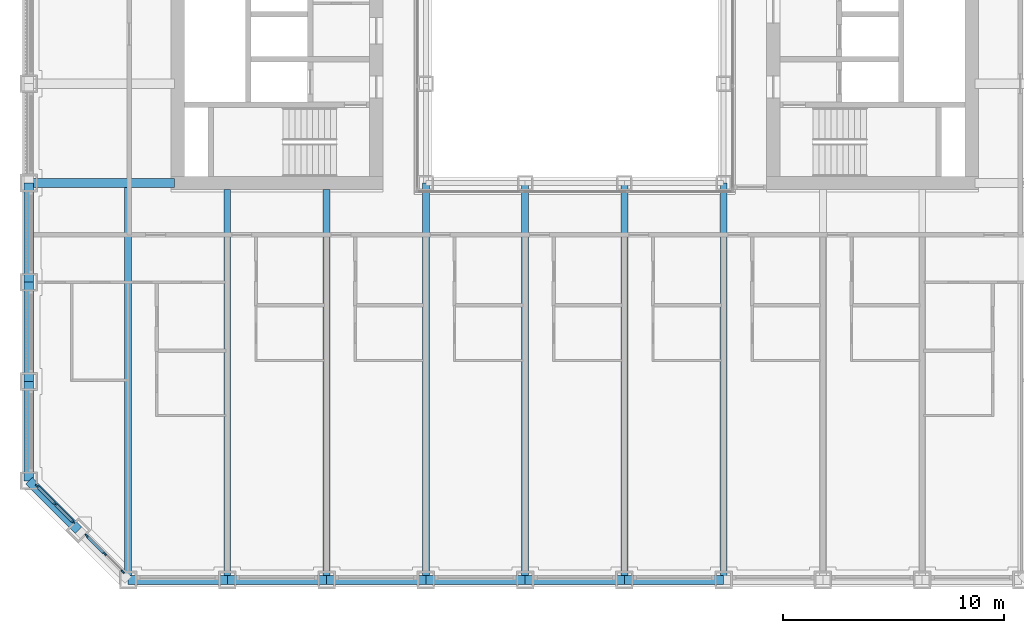
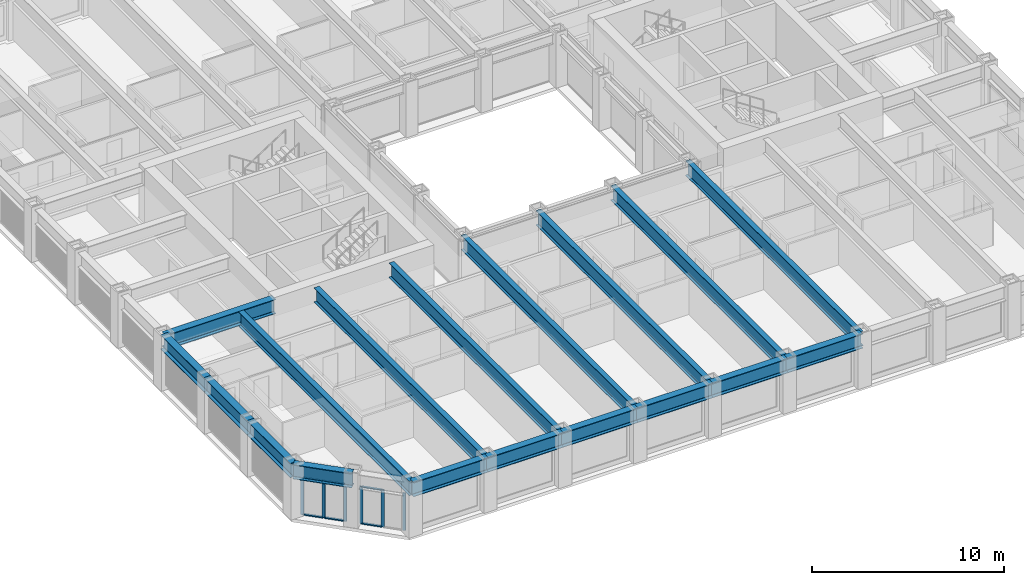
# One storey, part 2 of 21: 18 beams, 12 members, 2 elements without a shape of their own.
"""IFC4 building model written with IfcOpenShell, lengths in metres."""

import ifcopenshell
import ifcopenshell.guid

model = None  # the IFC model being written
_history = None  # IfcOwnerHistory: only IFC2X3 demands one
_inside = {}  # id of a spatial element -> (the spatial element, [elements in it])
_under = {}  # id of a project, library or spatial element -> (it, [spatial elements below it])
_declared = {}  # id of a project -> (the project, [libraries it declares])
_typed = {}  # id of a type object -> (the type object, [elements of that type])
_made_of = {}  # id of a material, layer set ... -> (it, [elements and type objects made of it])


def new_model(schema):
    """Start an empty IFC model of exactly this schema.

    Asked for "IFC4X3", IfcOpenShell would pick the latest addendum, in which some entities
    have other attributes; the version numbers below select the first issue.
    IFC2X3 requires an IfcOwnerHistory on every rooted entity: one is made here for all.
    """
    global model, _history
    if schema == "IFC4X3":
        model = ifcopenshell.file(schema_version=(4, 3, 0, 0))
    else:
        model = ifcopenshell.file(schema=schema)
    _inside.clear()
    _under.clear()
    _declared.clear()
    _typed.clear()
    _made_of.clear()
    _history = None
    if model.schema == "IFC2X3":
        org = make("IfcOrganization", Name="unknown")
        user = make(
            "IfcPersonAndOrganization",
            ThePerson=make("IfcPerson", FamilyName="unknown"),
            TheOrganization=org,
        )
        app = make(
            "IfcApplication",
            ApplicationDeveloper=org,
            Version="unknown",
            ApplicationFullName="unknown",
            ApplicationIdentifier="unknown",
        )
        _history = make(
            "IfcOwnerHistory",
            OwningUser=user,
            OwningApplication=app,
            ChangeAction="ADDED",
            CreationDate=0,
        )
    return model


def make(cls, **values):
    """One entity of the class cls with the attributes given. An attribute that is None is left unset."""
    return model.create_entity(
        cls, **{name: value for name, value in values.items() if value is not None}
    )


def rooted(cls, **values):
    """An entity with a GlobalId (a new one), such as an element, a storey or a relation."""
    return make(cls, GlobalId=ifcopenshell.guid.new(), OwnerHistory=_history, **values)


def si_unit(unit_type, name, prefix=None):
    """IfcSIUnit, for example si_unit("LENGTHUNIT", "METRE", prefix="MILLI")."""
    return make("IfcSIUnit", UnitType=unit_type, Prefix=prefix, Name=name)


def assignment(units):
    """IfcUnitAssignment: the units of a project."""
    return None if units is None else make("IfcUnitAssignment", Units=units)


def point(xyz):
    """IfcCartesianPoint."""
    return None if xyz is None else make("IfcCartesianPoint", Coordinates=xyz)


def direction(xyz):
    """IfcDirection."""
    return None if xyz is None else make("IfcDirection", DirectionRatios=xyz)


def frame(location, z_axis=None, x_axis=None):
    """IfcAxis2Placement3D, a coordinate frame: its origin and axes. An axis left out is left unset."""
    return make(
        "IfcAxis2Placement3D",
        Location=point(location),
        Axis=direction(z_axis),
        RefDirection=direction(x_axis),
    )


def frame_2d(location, x_axis=None):
    """IfcAxis2Placement2D, a coordinate frame in the plane: its origin and x axis."""
    return make(
        "IfcAxis2Placement2D", Location=point(location), RefDirection=direction(x_axis)
    )


def origin():
    """The frame at (0, 0, 0) with its axes left unset."""
    return frame((0.0, 0.0, 0.0))


def origin_2d():
    """The frame at (0, 0) in the plane with its x axis left unset."""
    return frame_2d((0.0, 0.0))


def place(relative_to, where):
    """IfcLocalPlacement: puts the frame where relative to a parent placement (None: the world)."""
    return make(
        "IfcLocalPlacement", PlacementRelTo=relative_to, RelativePlacement=where
    )


def context(
    kind, dimensions, precision=None, world=None, true_north=None, identifier=None
):
    """IfcGeometricRepresentationContext, for example the 3D "Model" context."""
    return make(
        "IfcGeometricRepresentationContext",
        ContextIdentifier=identifier,
        ContextType=kind,
        CoordinateSpaceDimension=dimensions,
        Precision=precision,
        WorldCoordinateSystem=world,
        TrueNorth=true_north,
    )


def subcontext(parent, identifier, kind, view, scale=None):
    """IfcGeometricRepresentationSubContext, for example "Body" below "Model"."""
    return make(
        "IfcGeometricRepresentationSubContext",
        ContextIdentifier=identifier,
        ContextType=kind,
        ParentContext=parent,
        TargetScale=scale,
        TargetView=view,
    )


def project(units=None, contexts=None):
    """IfcProject with its units and contexts."""
    return rooted(
        "IfcProject",
        Name="project",
        RepresentationContexts=contexts,
        UnitsInContext=assignment(units),
    )


def spatial(cls, under=None, at=None, **own):
    """A site, building, storey or space (cls), placed at a placement, below another one or the project."""
    s = rooted(cls, ObjectPlacement=at, **own)
    if under is not None:
        _under.setdefault(under.id(), (under, []))[1].append(s)
    return s


def profile(cls, at=None, kind="AREA", **sizes):
    """A parametric profile (cls). Its sizes go by their IFC names, for example OverallWidth=200.0."""
    return make(cls, ProfileType=kind, Position=at, **sizes)


def rectangle(**sizes):
    """IfcRectangleProfileDef."""
    return profile("IfcRectangleProfileDef", **sizes)


def i_section(**sizes):
    """IfcIShapeProfileDef."""
    return profile("IfcIShapeProfileDef", **sizes)


def extrude(swept, where, along, depth):
    """IfcExtrudedAreaSolid: the profile swept, set in the frame where, extruded along a direction by depth."""
    return make(
        "IfcExtrudedAreaSolid",
        SweptArea=swept,
        Position=where,
        ExtrudedDirection=direction(along),
        Depth=depth,
    )


def shape(context_of_items, identifier, shape_type, items):
    """IfcShapeRepresentation: the items that make up one representation, for example the "Body"."""
    return make(
        "IfcShapeRepresentation",
        ContextOfItems=context_of_items,
        RepresentationIdentifier=identifier,
        RepresentationType=shape_type,
        Items=items,
    )


def material(Name=None, Category=None):
    """IfcMaterial."""
    return make("IfcMaterial", Name=Name, Category=Category)


def material_profile(
    of_material, cross_section, Name=None, Category=None, Priority=None
):
    """IfcMaterialProfile: a cross section and its material."""
    return make(
        "IfcMaterialProfile",
        Name=Name,
        Material=of_material,
        Profile=cross_section,
        Priority=Priority,
        Category=Category,
    )


def profile_set(profiles, Name=None, composite=None):
    """IfcMaterialProfileSet."""
    return make(
        "IfcMaterialProfileSet",
        Name=Name,
        MaterialProfiles=profiles,
        CompositeProfile=composite,
    )


def made_of(thing, what):
    """Note that an element or type object is made of a material, layer set ...; save() writes the relation."""
    if what is not None:
        _made_of.setdefault(what.id(), (what, []))[1].append(thing)
    return thing


def type_object(cls, material=None, **own):
    """A type object (cls), such as IfcWallType, which elements share."""
    return made_of(rooted(cls, **own), material)


def element(
    cls,
    number,
    at=None,
    inside=None,
    cuts=None,
    type_object=None,
    material=None,
    context=None,
    identifier="Body",
    shape_type=None,
    held_by="IfcProductDefinitionShape",
    body=None,
    shapes=None,
    **own,
):
    """One element of the class cls, such as IfcWall. Its Tag is "e" and its number.

    at: its placement. inside: the storey or other place that contains it. cuts: it is an
    opening in that element (IfcRelVoidsElement). A single representation is given by context,
    identifier, shape_type and body (its items); several are given by shapes. held_by: the class
    of the entity that holds the representations. save() writes the other relations.
    """
    e = rooted(cls, Tag="e%d" % number, ObjectPlacement=at, **own)
    if body is not None:
        shapes = [shape(context, identifier, shape_type, body)]
    if shapes is not None:
        e.Representation = make(held_by, Representations=shapes)
    if inside is not None:
        _inside.setdefault(inside.id(), (inside, []))[1].append(e)
    if cuts is not None:
        rooted(
            "IfcRelVoidsElement", RelatingBuildingElement=cuts, RelatedOpeningElement=e
        )
    if type_object is not None:
        _typed.setdefault(type_object.id(), (type_object, []))[1].append(e)
    return made_of(e, material)


def aggregate(whole, parts):
    """IfcRelAggregates: a whole, such as a stair, and the parts it consists of."""
    return rooted("IfcRelAggregates", RelatingObject=whole, RelatedObjects=parts)


def save(model, path):
    """Write the relations noted so far, then the file.

    IfcRelAggregates (storeys below a building ...), IfcRelContainedInSpatialStructure (elements
    in a storey), IfcRelDefinesByType, IfcRelAssociatesMaterial and IfcRelDeclares: one each for
    every whole, place, type object, material and project.
    """
    for whole, parts in _under.values():
        aggregate(whole, parts)
    for where, things in _inside.values():
        rooted(
            "IfcRelContainedInSpatialStructure",
            RelatedElements=things,
            RelatingStructure=where,
        )
    for kind, things in _typed.values():
        rooted("IfcRelDefinesByType", RelatedObjects=things, RelatingType=kind)
    for what, things in _made_of.values():
        rooted("IfcRelAssociatesMaterial", RelatedObjects=things, RelatingMaterial=what)
    for by, libraries in _declared.values():
        rooted("IfcRelDeclares", RelatingContext=by, RelatedDefinitions=libraries)
    model.write(path)


model = new_model("IFC4")

# Units and contexts
model_context = context("Model", 3, precision=1e-05, world=origin(), true_north=direction((0.0, 1.0)))
body_context = subcontext(model_context, "Body", "Model", "MODEL_VIEW")
ifc_project = project(units=[si_unit("LENGTHUNIT", "METRE"), si_unit("AREAUNIT", "SQUARE_METRE"), si_unit("VOLUMEUNIT", "CUBIC_METRE"), si_unit("PLANEANGLEUNIT", "RADIAN"), si_unit("MASSUNIT", "GRAM", prefix="KILO")], contexts=[model_context])

# Site, building, storey
site_placement = place(None, origin())
site = spatial("IfcSite", under=ifc_project, at=site_placement, CompositionType="ELEMENT")
building_placement = place(site_placement, origin())
building = spatial("IfcBuilding", under=site, at=building_placement, Name="Msasa Ring Tower", CompositionType="ELEMENT")
storey_placement = place(building_placement, frame((0.0, 0.0, 30.0)))
storey = spatial("IfcBuildingStorey", under=building, at=storey_placement, Name="L06", CompositionType="ELEMENT", Elevation=30.0)

# Curtain wall, members
ifc_material_1 = material(Name="Aluminium curtain wall with clear glass", Category="aluminium")
curtain_wall_type = type_object("IfcCurtainWallType", Name="CW-C CHAMFER CORNER CURTAIN WALL", PredefinedType="NOTDEFINED", material=ifc_material_1)
curtain_wall_1_placement = place(storey_placement, origin())
curtain_wall_1 = element("IfcCurtainWall", 1, at=curtain_wall_1_placement, inside=storey, type_object=curtain_wall_type, Name="Chamfer corner curtain wall SW L06", PredefinedType="NOTDEFINED")
ifc_material_2 = material(Name="Aluminium mullion", Category="aluminium")
ifc_material_profile_1 = material_profile(ifc_material_2, rectangle(XDim=0.06494140625, YDim=0.179931640625, at=origin_2d()), Name="AL 65x180")
ifc_profile_set_1 = profile_set([ifc_material_profile_1], Name="Aluminium mullion")
member_type_1 = type_object("IfcMemberType", Name="CW-C MULLION 65x180", PredefinedType="MULLION", material=ifc_profile_set_1)
member_1_placement = place(storey_placement, frame((-24.369873046875, -20.48876953125, 0.0), z_axis=(0.0, 0.0, 1.0), x_axis=(0.707106781187, 0.707106781187, 0.0)))
member_1 = element("IfcMember", 2, at=member_1_placement, type_object=member_type_1, Name="CW-C mullion 1", PredefinedType="MULLION", context=body_context, shape_type="SweptSolid", body=[
    extrude(rectangle(XDim=0.06494140625, YDim=0.179931640625, at=origin_2d()), origin(), (0.0, 0.0, 1.0), 2.37890625),
])
member_2_placement = place(storey_placement, frame((-23.55419921875, -21.30419921875, 0.0), z_axis=(0.0, 0.0, 1.0), x_axis=(0.707106781187, 0.707106781187, 0.0)))
member_2 = element("IfcMember", 3, at=member_2_placement, type_object=member_type_1, Name="CW-C mullion 2", PredefinedType="MULLION", context=body_context, shape_type="SweptSolid", body=[
    extrude(rectangle(XDim=0.06494140625, YDim=0.179931640625, at=origin_2d()), origin(), (0.0, 0.0, 1.0), 2.37890625),
])
member_3_placement = place(storey_placement, frame((-22.73876953125, -22.119873046875, 0.0), z_axis=(0.0, 0.0, 1.0), x_axis=(0.707106781187, 0.707106781187, 0.0)))
member_3 = element("IfcMember", 4, at=member_3_placement, type_object=member_type_1, Name="CW-C mullion 3", PredefinedType="MULLION", context=body_context, shape_type="SweptSolid", body=[
    extrude(rectangle(XDim=0.06494140625, YDim=0.179931640625, at=origin_2d()), origin(), (0.0, 0.0, 1.0), 2.37890625),
])

curtain_wall_2_placement = place(storey_placement, origin())
curtain_wall_2 = element("IfcCurtainWall", 5, at=curtain_wall_2_placement, inside=storey, type_object=curtain_wall_type, Name="Chamfer corner curtain wall SW L06", PredefinedType="NOTDEFINED")
member_4_placement = place(storey_placement, frame((-22.119873046875, -22.73876953125, 0.0), z_axis=(0.0, 0.0, 1.0), x_axis=(0.707106781187, 0.707106781187, 0.0)))
member_4 = element("IfcMember", 6, at=member_4_placement, type_object=member_type_1, Name="CW-C mullion 1", PredefinedType="MULLION", context=body_context, shape_type="SweptSolid", body=[
    extrude(rectangle(XDim=0.06494140625, YDim=0.179931640625, at=origin_2d()), origin(), (0.0, 0.0, 1.0), 2.37890625),
])
member_5_placement = place(storey_placement, frame((-21.30419921875, -23.55419921875, 0.0), z_axis=(0.0, 0.0, 1.0), x_axis=(0.707106781187, 0.707106781187, 0.0)))
member_5 = element("IfcMember", 7, at=member_5_placement, type_object=member_type_1, Name="CW-C mullion 2", PredefinedType="MULLION", context=body_context, shape_type="SweptSolid", body=[
    extrude(rectangle(XDim=0.06494140625, YDim=0.179931640625, at=origin_2d()), origin(), (0.0, 0.0, 1.0), 2.37890625),
])
member_6_placement = place(storey_placement, frame((-20.48876953125, -24.369873046875, 0.0), z_axis=(0.0, 0.0, 1.0), x_axis=(0.707106781187, 0.707106781187, 0.0)))
member_6 = element("IfcMember", 8, at=member_6_placement, type_object=member_type_1, Name="CW-C mullion 3", PredefinedType="MULLION", context=body_context, shape_type="SweptSolid", body=[
    extrude(rectangle(XDim=0.06494140625, YDim=0.179931640625, at=origin_2d()), origin(), (0.0, 0.0, 1.0), 2.37890625),
])

# Member
ifc_material_3 = material(Name="Aluminium transom", Category="aluminium")
ifc_material_profile_2 = material_profile(ifc_material_3, rectangle(XDim=0.139892578125, YDim=0.06494140625, at=origin_2d()), Name="AL 65x140")
ifc_profile_set_2 = profile_set([ifc_material_profile_2], Name="Aluminium transom")
member_type_2 = type_object("IfcMemberType", Name="CW-C TRANSOM 65x140", PredefinedType="USERDEFINED", material=ifc_profile_set_2)
member_7_placement = place(storey_placement, frame((-24.346923828125, -20.51171875, 0.032470703125), z_axis=(0.707106781187, -0.707106781187, 0.0), x_axis=(0.707106781187, 0.707106781187, 0.0)))
member_7 = element("IfcMember", 9, at=member_7_placement, type_object=member_type_2, Name="CW-C transom 1.1", ObjectType="TRANSOM", PredefinedType="USERDEFINED", context=body_context, shape_type="SweptSolid", body=[
    extrude(rectangle(XDim=0.139892578125, YDim=0.06494140625, at=origin_2d()), origin(), (0.0, 0.0, 1.0), 1.08837890625),
])

member_8_placement = place(storey_placement, frame((-24.346923828125, -20.51171875, 2.346435546875), z_axis=(0.707106781187, -0.707106781187, 0.0), x_axis=(0.707106781187, 0.707106781187, 0.0)))
member_8 = element("IfcMember", 10, at=member_8_placement, type_object=member_type_2, Name="CW-C transom 1.2", ObjectType="TRANSOM", PredefinedType="USERDEFINED", context=body_context, shape_type="SweptSolid", body=[
    extrude(rectangle(XDim=0.139892578125, YDim=0.06494140625, at=origin_2d()), origin(), (0.0, 0.0, 1.0), 1.08837890625),
])

member_9_placement = place(storey_placement, frame((-23.53125, -21.327392578125, 0.032470703125), z_axis=(0.707106781187, -0.707106781187, 0.0), x_axis=(0.707106781187, 0.707106781187, 0.0)))
member_9 = element("IfcMember", 11, at=member_9_placement, type_object=member_type_2, Name="CW-C transom 2.1", ObjectType="TRANSOM", PredefinedType="USERDEFINED", context=body_context, shape_type="SweptSolid", body=[
    extrude(rectangle(XDim=0.139892578125, YDim=0.06494140625, at=origin_2d()), origin(), (0.0, 0.0, 1.0), 1.08837890625),
])

member_10_placement = place(storey_placement, frame((-23.53125, -21.327392578125, 2.346435546875), z_axis=(0.707106781187, -0.707106781187, 0.0), x_axis=(0.707106781187, 0.707106781187, 0.0)))
member_10 = element("IfcMember", 12, at=member_10_placement, type_object=member_type_2, Name="CW-C transom 2.2", ObjectType="TRANSOM", PredefinedType="USERDEFINED", context=body_context, shape_type="SweptSolid", body=[
    extrude(rectangle(XDim=0.139892578125, YDim=0.06494140625, at=origin_2d()), origin(), (0.0, 0.0, 1.0), 1.08837890625),
])

aggregate(curtain_wall_1, [member_1, member_2, member_3, member_7, member_8, member_9, member_10])

member_11_placement = place(storey_placement, frame((-22.096923828125, -22.76171875, 0.032470703125), z_axis=(0.707106781187, -0.707106781187, 0.0), x_axis=(0.707106781187, 0.707106781187, 0.0)))
member_11 = element("IfcMember", 13, at=member_11_placement, type_object=member_type_2, Name="CW-C transom 1.1", ObjectType="TRANSOM", PredefinedType="USERDEFINED", context=body_context, shape_type="SweptSolid", body=[
    extrude(rectangle(XDim=0.139892578125, YDim=0.06494140625, at=origin_2d()), origin(), (0.0, 0.0, 1.0), 1.08837890625),
])

member_12_placement = place(storey_placement, frame((-22.096923828125, -22.76171875, 2.346435546875), z_axis=(0.707106781187, -0.707106781187, 0.0), x_axis=(0.707106781187, 0.707106781187, 0.0)))
member_12 = element("IfcMember", 14, at=member_12_placement, type_object=member_type_2, Name="CW-C transom 1.2", ObjectType="TRANSOM", PredefinedType="USERDEFINED", context=body_context, shape_type="SweptSolid", body=[
    extrude(rectangle(XDim=0.139892578125, YDim=0.06494140625, at=origin_2d()), origin(), (0.0, 0.0, 1.0), 1.08837890625),
])

aggregate(curtain_wall_2, [member_4, member_5, member_6, member_11, member_12])

# Beams
ifc_material_4 = material(Name="Steel S355", Category="steel")
ifc_material_profile_3 = material_profile(ifc_material_4, i_section(OverallWidth=0.3076171875, OverallDepth=0.926513671875, WebThickness=0.01953125, FlangeThickness=0.031982421875, FilletRadius=0.01904296875, at=origin_2d()), Name="UB 914x305x289")
ifc_profile_set_3 = profile_set([ifc_material_profile_3], Name="Steel S355")
beam_type_1 = type_object("IfcBeamType", Name="FB3 UB 914x305x289", PredefinedType="BEAM", material=ifc_profile_set_3)
beam_1_placement = place(storey_placement, frame((-20.25, -24.75, 2.836669921875), z_axis=(0.0, 1.0, 0.0), x_axis=(-1.0, 0.0, 0.0)))
element("IfcBeam", 15, at=beam_1_placement, inside=storey, type_object=beam_type_1, Name="Floor beam S-20.25 under L07", PredefinedType="BEAM", context=body_context, shape_type="SweptSolid", body=[
    extrude(i_section(OverallWidth=0.3076171875, OverallDepth=0.926513671875, WebThickness=0.01953125, FlangeThickness=0.031982421875, FilletRadius=0.01904296875, at=origin_2d()), origin(), (0.0, 0.0, 1.0), 17.789794921875),
])
for number, where, z_axis, x_axis, name in (
    (16, (-15.75, -24.75, 2.836669921875), (0.0, 1.0, 0.0), (-1.0, 0.0, 0.0), "Floor beam S-15.75 under L07"),
    (17, (-11.25, -24.75, 2.836669921875), (0.0, 1.0, 0.0), (-1.0, 0.0, 0.0), "Floor beam S-11.25 under L07"),
):
    element("IfcBeam", number, at=place(storey_placement, frame(where, z_axis=z_axis, x_axis=x_axis)), inside=storey, type_object=beam_type_1, Name=name, PredefinedType="BEAM", context=body_context, shape_type="SweptSolid", body=[
        extrude(i_section(OverallWidth=0.3076171875, OverallDepth=0.926513671875, WebThickness=0.01953125, FlangeThickness=0.031982421875, FilletRadius=0.01904296875, at=origin_2d()), origin(), (0.0, 0.0, 1.0), 17.699951171875),
    ])
for number, where, z_axis, x_axis, name in (
    (18, (-6.75, -24.75, 2.836669921875), (0.0, 1.0, 0.0), (-1.0, 0.0, 0.0), "Floor beam S-6.75 under L07"),
    (19, (-2.25, -24.75, 2.836669921875), (0.0, 1.0, 0.0), (-1.0, 0.0, 0.0), "Floor beam S-2.25 under L07"),
    (20, (2.25, -24.75, 2.836669921875), (0.0, 1.0, 0.0), (-1.0, 0.0, 0.0), "Floor beam S+2.25 under L07"),
    (21, (6.75, -24.75, 2.836669921875), (0.0, 1.0, 0.0), (-1.0, 0.0, 0.0), "Floor beam S+6.75 under L07"),
):
    element("IfcBeam", number, at=place(storey_placement, frame(where, z_axis=z_axis, x_axis=x_axis)), inside=storey, type_object=beam_type_1, Name=name, PredefinedType="BEAM", context=body_context, shape_type="SweptSolid", body=[
        extrude(i_section(OverallWidth=0.3076171875, OverallDepth=0.926513671875, WebThickness=0.01953125, FlangeThickness=0.031982421875, FilletRadius=0.01904296875, at=origin_2d()), origin(), (0.0, 0.0, 1.0), 18.0),
    ])
ifc_material_5 = material(Name="Steel S355", Category="steel")
ifc_material_profile_4 = material_profile(ifc_material_5, i_section(OverallWidth=0.42041015625, OverallDepth=0.9208984375, WebThickness=0.021484375, FlangeThickness=0.03662109375, FilletRadius=0.024169921875, at=origin_2d()), Name="UB 914x419x388")
ifc_profile_set_4 = profile_set([ifc_material_profile_4], Name="Steel S355")
beam_type_2 = type_object("IfcBeamType", Name="GB1 UB 914x419x388", PredefinedType="BEAM", material=ifc_profile_set_4)
beam_2_placement = place(storey_placement, frame((-18.14990234375, -6.75, 2.839599609375), z_axis=(-1.0, 0.0, 0.0), x_axis=(0.0, -1.0, 0.0)))
element("IfcBeam", 22, at=beam_2_placement, inside=storey, type_object=beam_type_2, Name="Girder W -6.75 under L07", PredefinedType="BEAM", context=body_context, shape_type="SweptSolid", body=[
    extrude(i_section(OverallWidth=0.42041015625, OverallDepth=0.9208984375, WebThickness=0.021484375, FlangeThickness=0.03662109375, FilletRadius=0.024169921875, at=origin_2d()), origin(), (0.0, 0.0, 1.0), 6.60009765625),
])
ifc_material_6 = material(Name="Steel S355", Category="steel")
ifc_material_profile_5 = material_profile(ifc_material_6, i_section(OverallWidth=0.42041015625, OverallDepth=0.9208984375, WebThickness=0.021484375, FlangeThickness=0.03662109375, FilletRadius=0.024169921875, at=origin_2d()), Name="UB 914x419x388")
ifc_profile_set_5 = profile_set([ifc_material_profile_5], Name="Steel S355")
beam_type_3 = type_object("IfcBeamType", Name="SB1 UB 914x419x388", PredefinedType="SPANDREL", material=ifc_profile_set_5)
for number, where, z_axis, x_axis, name in (
    (23, (-24.75, -6.75, 2.839599609375), (0.0, -1.0, 0.0), (1.0, 0.0, 0.0), "Spandrel W-6.75 to W-11.25 under L07"),
    (24, (-24.75, -11.25, 2.839599609375), (0.0, -1.0, 0.0), (1.0, 0.0, 0.0), "Spandrel W-11.25 to W-15.75 under L07"),
    (25, (-24.75, -15.75, 2.839599609375), (0.0, -1.0, 0.0), (1.0, 0.0, 0.0), "Spandrel W-15.75 to W-20.25 under L07"),
):
    element("IfcBeam", number, at=place(storey_placement, frame(where, z_axis=z_axis, x_axis=x_axis)), inside=storey, type_object=beam_type_3, Name=name, PredefinedType="SPANDREL", context=body_context, shape_type="SweptSolid", body=[
        extrude(i_section(OverallWidth=0.42041015625, OverallDepth=0.9208984375, WebThickness=0.021484375, FlangeThickness=0.03662109375, FilletRadius=0.024169921875, at=origin_2d()), origin(), (0.0, 0.0, 1.0), 4.5),
    ])
beam_3_placement = place(storey_placement, frame((-24.75, -20.25, 2.839599609375), z_axis=(0.707106781187, -0.707106781187, 0.0), x_axis=(0.707106781187, 0.707106781187, 0.0)))
element("IfcBeam", 26, at=beam_3_placement, inside=storey, type_object=beam_type_3, Name="Spandrel W-20.25 to SW under L07", PredefinedType="SPANDREL", context=body_context, shape_type="SweptSolid", body=[
    extrude(i_section(OverallWidth=0.42041015625, OverallDepth=0.9208984375, WebThickness=0.021484375, FlangeThickness=0.03662109375, FilletRadius=0.024169921875, at=origin_2d()), origin(), (0.0, 0.0, 1.0), 3.181884765625),
])
for number, where, z_axis, x_axis, name in (
    (27, (-20.25, -24.75, 2.839599609375), (1.0, 0.0, 0.0), (0.0, 1.0, 0.0), "Spandrel S-20.25 to S-15.75 under L07"),
    (28, (-15.75, -24.75, 2.839599609375), (1.0, 0.0, 0.0), (0.0, 1.0, 0.0), "Spandrel S-15.75 to S-11.25 under L07"),
    (29, (-11.25, -24.75, 2.839599609375), (1.0, 0.0, 0.0), (0.0, 1.0, 0.0), "Spandrel S-11.25 to S-6.75 under L07"),
    (30, (-6.75, -24.75, 2.839599609375), (1.0, 0.0, 0.0), (0.0, 1.0, 0.0), "Spandrel S-6.75 to S-2.25 under L07"),
    (31, (-2.25, -24.75, 2.839599609375), (1.0, 0.0, 0.0), (0.0, 1.0, 0.0), "Spandrel S-2.25 to S+2.25 under L07"),
    (32, (2.25, -24.75, 2.839599609375), (1.0, 0.0, 0.0), (0.0, 1.0, 0.0), "Spandrel S+2.25 to S+6.75 under L07"),
):
    element("IfcBeam", number, at=place(storey_placement, frame(where, z_axis=z_axis, x_axis=x_axis)), inside=storey, type_object=beam_type_3, Name=name, PredefinedType="SPANDREL", context=body_context, shape_type="SweptSolid", body=[
        extrude(i_section(OverallWidth=0.42041015625, OverallDepth=0.9208984375, WebThickness=0.021484375, FlangeThickness=0.03662109375, FilletRadius=0.024169921875, at=origin_2d()), origin(), (0.0, 0.0, 1.0), 4.5),
    ])

save(model, "model.ifc")
